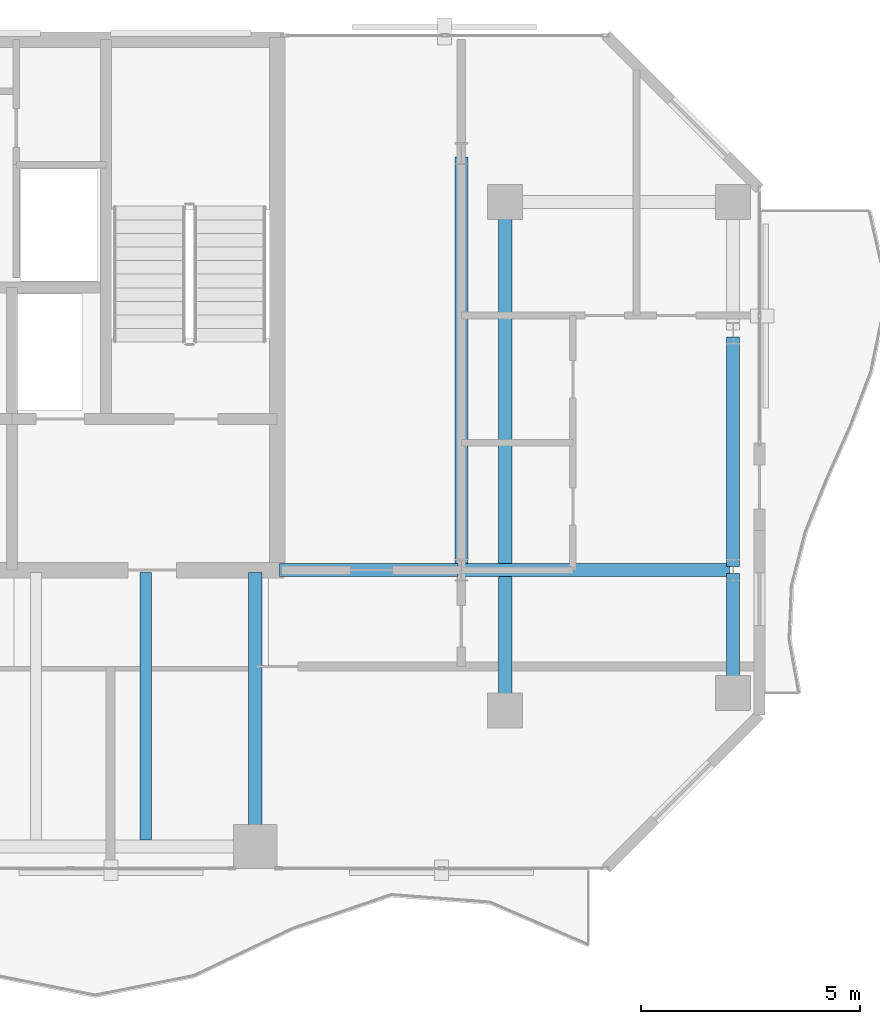
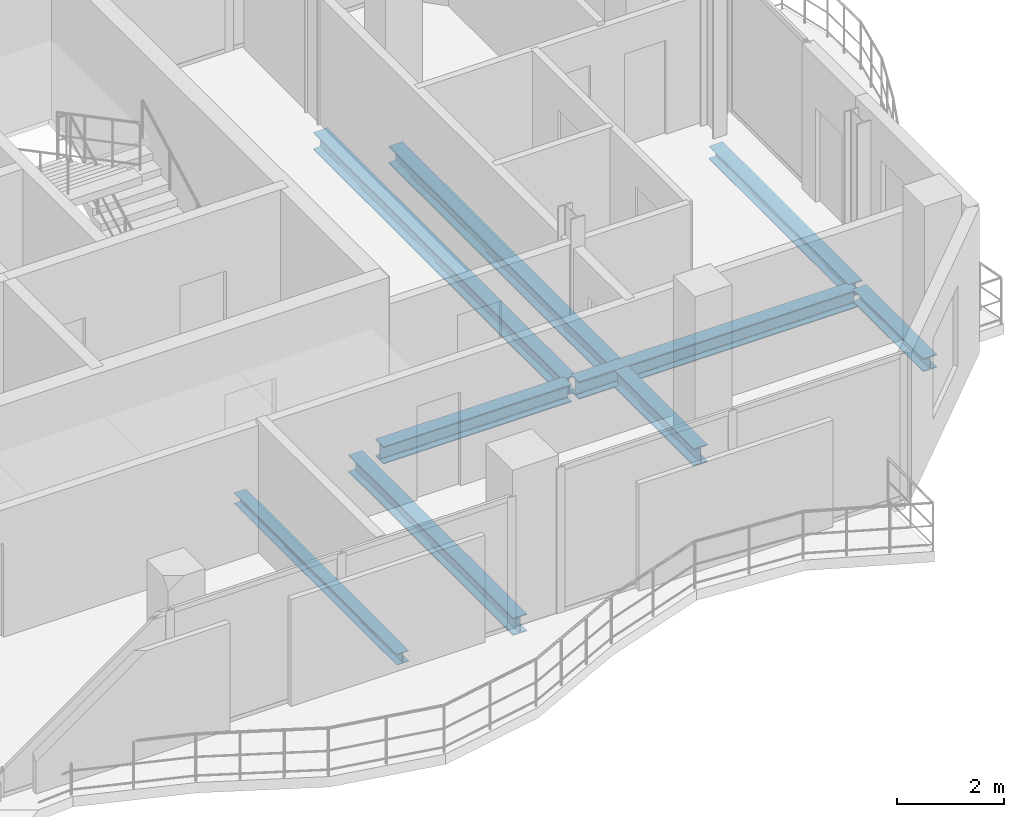
# One storey, part 13 of 23: 8 beams.
"""IFC4 building model written with IfcOpenShell, lengths in metres."""

from ifc_helpers import new_model, si_unit, direction, frame, origin, origin_2d, place, context, subcontext, project, spatial, i_section, extrude, material, material_profile, profile_set, type_object, element, save


model = new_model("IFC4")

# Units and contexts
model_context = context("Model", 3, precision=1e-05, world=origin(), true_north=direction((0.0, 1.0)))
body_context = subcontext(model_context, "Body", "Model", "MODEL_VIEW")
ifc_project = project(units=[si_unit("LENGTHUNIT", "METRE"), si_unit("AREAUNIT", "SQUARE_METRE"), si_unit("VOLUMEUNIT", "CUBIC_METRE"), si_unit("PLANEANGLEUNIT", "RADIAN"), si_unit("MASSUNIT", "GRAM", prefix="KILO")], contexts=[model_context])

# Site, building, storey
site_placement = place(None, origin())
site = spatial("IfcSite", under=ifc_project, at=site_placement, CompositionType="ELEMENT")
building_placement = place(site_placement, origin())
building = spatial("IfcBuilding", under=site, at=building_placement, Name="Catumbela Crestline Tower", CompositionType="ELEMENT")
storey_placement = place(building_placement, frame((0.0, 0.0, 172.2)))
storey = spatial("IfcBuildingStorey", under=building, at=storey_placement, Name="L44", CompositionType="ELEMENT", Elevation=172.2)

# Beams
ifc_material = material(Name="Structural steel S355J2", Category="steel")
ifc_material_profile_1 = material_profile(ifc_material, i_section(OverallWidth=0.3, OverallDepth=0.4, WebThickness=0.0135, FlangeThickness=0.024, FilletRadius=0.027, at=origin_2d()), Name="HEB 400")
ifc_profile_set_1 = profile_set([ifc_material_profile_1], Name="Structural steel S355J2")
beam_type_1 = type_object("IfcBeamType", Name="BG-HEB400", PredefinedType="BEAM", material=ifc_profile_set_1)
beam_1_placement = place(storey_placement, frame((40.05, 30.8, -0.46), z_axis=(1.0, 0.0, 0.0), x_axis=(0.0, 1.0, 0.0)))
element("IfcBeam", 1, at=beam_1_placement, inside=storey, type_object=beam_type_1, Name="L44 Beam BM-L44-M08", PredefinedType="BEAM", context=body_context, shape_type="SweptSolid", body=[
    extrude(i_section(OverallWidth=0.3, OverallDepth=0.4, WebThickness=0.0135, FlangeThickness=0.024, FilletRadius=0.027, at=origin_2d()), origin(), (0.0, 0.0, 1.0), 4.07),
])
beam_2_placement = place(storey_placement, frame((44.28, 30.8, -0.46), z_axis=(1.0, 0.0, 0.0), x_axis=(0.0, 1.0, 0.0)))
element("IfcBeam", 2, at=beam_2_placement, inside=storey, type_object=beam_type_1, Name="L44 Beam BM-L44-M09", PredefinedType="BEAM", context=body_context, shape_type="SweptSolid", body=[
    extrude(i_section(OverallWidth=0.3, OverallDepth=0.4, WebThickness=0.0135, FlangeThickness=0.024, FilletRadius=0.027, at=origin_2d()), origin(), (0.0, 0.0, 1.0), 6.04),
])
beam_3_placement = place(storey_placement, frame((39.5, 24.58, -0.46), z_axis=(0.0, 1.0, 0.0), x_axis=(-1.0, 0.0, 0.0)))
element("IfcBeam", 3, at=beam_3_placement, inside=storey, type_object=beam_type_1, Name="L44 Beam BM-L44-SNS20", PredefinedType="BEAM", context=body_context, shape_type="SweptSolid", body=[
    extrude(i_section(OverallWidth=0.3, OverallDepth=0.4, WebThickness=0.0135, FlangeThickness=0.024, FilletRadius=0.027, at=origin_2d()), origin(), (0.0, 0.0, 1.0), 6.17),
])
beam_4_placement = place(storey_placement, frame((44.2, 30.88, -0.46), z_axis=(0.0, 1.0, 0.0), x_axis=(-1.0, 0.0, 0.0)))
element("IfcBeam", 4, at=beam_4_placement, inside=storey, type_object=beam_type_1, Name="L44 Beam BM-L44-SN21", PredefinedType="BEAM", context=body_context, shape_type="SweptSolid", body=[
    extrude(i_section(OverallWidth=0.3, OverallDepth=0.4, WebThickness=0.0135, FlangeThickness=0.024, FilletRadius=0.027, at=origin_2d()), origin(), (0.0, 0.0, 1.0), 9.34),
])
beam_5_placement = place(storey_placement, frame((45.2, 27.68, -0.46), z_axis=(0.0, 1.0, 0.0), x_axis=(-1.0, 0.0, 0.0)))
element("IfcBeam", 5, at=beam_5_placement, inside=storey, type_object=beam_type_1, Name="L44 Beam BM-L44-SN22", PredefinedType="BEAM", context=body_context, shape_type="SweptSolid", body=[
    extrude(i_section(OverallWidth=0.3, OverallDepth=0.4, WebThickness=0.0135, FlangeThickness=0.024, FilletRadius=0.027, at=origin_2d()), origin(), (0.0, 0.0, 1.0), 11.44),
])
ifc_material_profile_2 = material_profile(ifc_material, i_section(OverallWidth=0.26, OverallDepth=0.25, WebThickness=0.0075, FlangeThickness=0.0125, FilletRadius=0.024, at=origin_2d()), Name="HEA 260")
ifc_profile_set_2 = profile_set([ifc_material_profile_2], Name="Structural steel S355J2")
beam_type_2 = type_object("IfcBeamType", Name="BJ-HEA260", PredefinedType="JOIST", material=ifc_profile_set_2)
beam_6_placement = place(storey_placement, frame((37.0, 24.647, -0.385), z_axis=(0.0, 1.0, 0.0), x_axis=(-1.0, 0.0, 0.0)))
element("IfcBeam", 6, at=beam_6_placement, inside=storey, type_object=beam_type_2, Name="L44 Joist JS-L44-SP31", PredefinedType="JOIST", context=body_context, shape_type="SweptSolid", body=[
    extrude(i_section(OverallWidth=0.26, OverallDepth=0.25, WebThickness=0.0075, FlangeThickness=0.0125, FilletRadius=0.024, at=origin_2d()), origin(), (0.0, 0.0, 1.0), 6.103),
])
ifc_material_profile_3 = material_profile(ifc_material, i_section(OverallWidth=0.3, OverallDepth=0.3, WebThickness=0.011, FlangeThickness=0.019, FilletRadius=0.027, at=origin_2d()), Name="HEB 300")
ifc_profile_set_3 = profile_set([ifc_material_profile_3], Name="Structural steel S355J2")
beam_type_3 = type_object("IfcBeamType", Name="BS-HEB300", PredefinedType="SPANDREL", material=ifc_profile_set_3)
beam_7_placement = place(storey_placement, frame((50.4, 28.08, -0.41), z_axis=(0.0, 1.0, 0.0), x_axis=(-1.0, 0.0, 0.0)))
element("IfcBeam", 7, at=beam_7_placement, inside=storey, type_object=beam_type_3, Name="L44 Spandrel SP-L44-SN23", PredefinedType="SPANDREL", context=body_context, shape_type="SweptSolid", body=[
    extrude(i_section(OverallWidth=0.3, OverallDepth=0.3, WebThickness=0.011, FlangeThickness=0.019, FilletRadius=0.027, at=origin_2d()), origin(), (0.0, 0.0, 1.0), 2.64),
])
beam_8_placement = place(storey_placement, frame((50.4, 30.88, -0.41), z_axis=(0.0, 1.0, 0.0), x_axis=(-1.0, 0.0, 0.0)))
element("IfcBeam", 8, at=beam_8_placement, inside=storey, type_object=beam_type_3, Name="L44 Spandrel SP-L44-SN24", PredefinedType="SPANDREL", context=body_context, shape_type="SweptSolid", body=[
    extrude(i_section(OverallWidth=0.3, OverallDepth=0.3, WebThickness=0.011, FlangeThickness=0.019, FilletRadius=0.027, at=origin_2d()), origin(), (0.0, 0.0, 1.0), 5.24),
])

save(model, "model.ifc")
